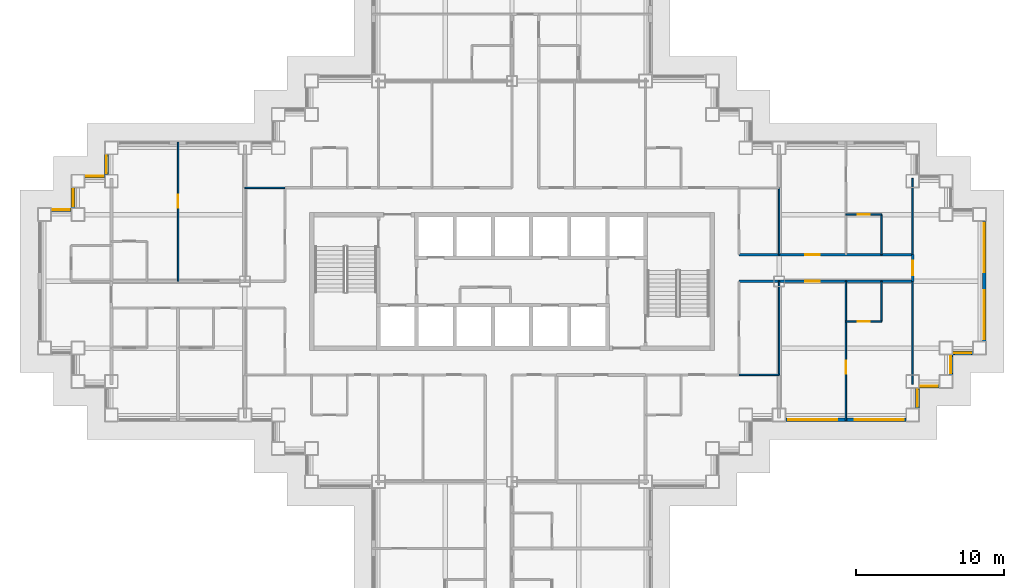
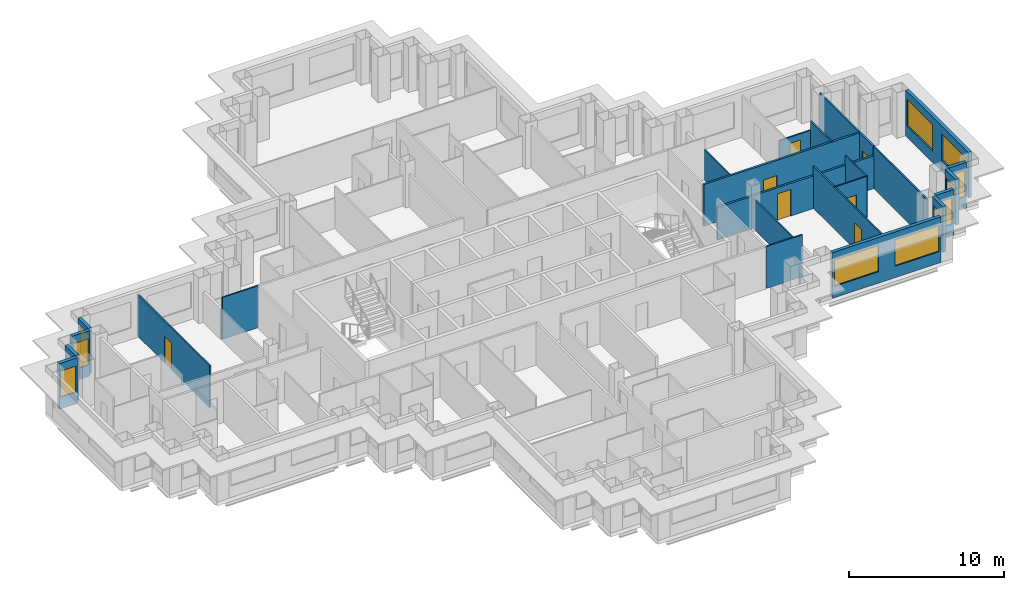
# One storey, part 7 of 15: 25 walls, 12 windows, 7 doors, 19 openings.
"""IFC4 building model written with IfcOpenShell, lengths in metres."""

from ifc_helpers import new_model, si_unit, direction, frame, frame_2d, origin, place, context, subcontext, project, spatial, rectangle, extrude, material, layer, layer_set, type_object, element, fill, save


model = new_model("IFC4")

# Units and contexts
model_context = context("Model", 3, precision=1e-05, world=origin(), true_north=direction((0.0, 1.0)))
body_context = subcontext(model_context, "Body", "Model", "MODEL_VIEW")
ifc_project = project(units=[si_unit("LENGTHUNIT", "METRE"), si_unit("AREAUNIT", "SQUARE_METRE"), si_unit("VOLUMEUNIT", "CUBIC_METRE"), si_unit("PLANEANGLEUNIT", "RADIAN"), si_unit("MASSUNIT", "GRAM", prefix="KILO")], contexts=[model_context])

# Site, building, storey
site_placement = place(None, origin())
site = spatial("IfcSite", under=ifc_project, at=site_placement, CompositionType="ELEMENT")
building_placement = place(site_placement, origin())
building = spatial("IfcBuilding", under=site, at=building_placement, Name="Caravel Reach Hotel and Residences", CompositionType="ELEMENT")
storey_placement = place(building_placement, frame((0.0, 0.0, 104.39990234375)))
storey = spatial("IfcBuildingStorey", under=building, at=storey_placement, Name="L25", CompositionType="ELEMENT", Elevation=104.39990234375)

# Wall, opening, door
ifc_material_1 = material(Name="Gypsum board on steel stud", Category="steel")
ifc_layer_1 = layer(ifc_material_1, 0.10009765625)
ifc_layer_set_1 = layer_set([ifc_layer_1], Name="Bathroom pod wall 100 mm")
wall_type_1 = type_object("IfcWallType", Name="Bathroom pod wall 100 mm", PredefinedType="PARTITIONING", material=ifc_layer_set_1)
wall_1_placement = place(storey_placement, frame((54.0, 24.300048828125, 0.0), z_axis=(0.0, 0.0, 1.0), x_axis=(1.0, 0.0, 0.0)))
wall_1 = element("IfcWall", 1, at=wall_1_placement, inside=storey, type_object=wall_type_1, Name="L25 wall w087", PredefinedType="PARTITIONING", context=body_context, shape_type="SweptSolid", body=[
    extrude(rectangle(XDim=2.39990234375, YDim=0.10009765625, at=frame_2d((1.199951171875, 0.0))), origin(), (0.0, 0.0, 1.0), 3.300048828125),
])
opening_1_placement = place(wall_1_placement, frame((0.800048828125, 0.0, 0.0)))
opening_1 = element("IfcOpeningElement", 2, at=opening_1_placement, cuts=wall_1, Name="Opening D25-024", PredefinedType="OPENING", context=body_context, shape_type="SweptSolid", body=[
    extrude(rectangle(XDim=0.800048828125, YDim=2.10009765625, at=frame_2d((0.39990234375, 1.050048828125))), frame((0.0, 0.06005859375, 0.0), z_axis=(0.0, -1.0, 0.0), x_axis=(1.0, 0.0, 0.0)), (0.0, 0.0, 1.0), 0.1201171875),
])
ifc_material_2 = material(Name="Timber and steel door leaf", Category="steel")
door_type_1 = type_object("IfcDoorType", Name="Bathroom door 800 x 2100", OperationType="SINGLE_SWING_LEFT", PredefinedType="DOOR", material=ifc_material_2)
door_1_placement = place(opening_1_placement, origin())
door_1 = element("IfcDoor", 3, at=door_1_placement, inside=storey, type_object=door_type_1, Name="door D25-024", OperationType="SINGLE_SWING_RIGHT", OverallHeight=2.10009765625, OverallWidth=0.800048828125, PredefinedType="DOOR", context=body_context, shape_type="SweptSolid", body=[
    extrude(rectangle(XDim=0.800048828125, YDim=2.10009765625, at=frame_2d((0.39990234375, 1.050048828125))), frame((0.0, 0.02490234375, 0.0), z_axis=(0.0, -1.0, 0.0), x_axis=(1.0, 0.0, 0.0)), (0.0, 0.0, 1.0), 0.050048828125),
])
fill(opening_1, door_1)

wall_2_placement = place(storey_placement, frame((54.0, 31.5, 0.0), z_axis=(0.0, 0.0, 1.0), x_axis=(1.0, 0.0, 0.0)))
wall_2 = element("IfcWall", 4, at=wall_2_placement, inside=storey, type_object=wall_type_1, Name="L25 wall w091", PredefinedType="PARTITIONING", context=body_context, shape_type="SweptSolid", body=[
    extrude(rectangle(XDim=2.39990234375, YDim=0.10009765625, at=frame_2d((1.199951171875, 0.0))), origin(), (0.0, 0.0, 1.0), 2.580078125),
])
opening_2_placement = place(wall_2_placement, frame((0.800048828125, 0.0, 0.0)))
opening_2 = element("IfcOpeningElement", 5, at=opening_2_placement, cuts=wall_2, Name="Opening D25-027", PredefinedType="OPENING", context=body_context, shape_type="SweptSolid", body=[
    extrude(rectangle(XDim=0.800048828125, YDim=2.10009765625, at=frame_2d((0.39990234375, 1.050048828125))), frame((0.0, 0.06005859375, 0.0), z_axis=(0.0, -1.0, 0.0), x_axis=(1.0, 0.0, 0.0)), (0.0, 0.0, 1.0), 0.1201171875),
])
door_2_placement = place(opening_2_placement, origin())
door_2 = element("IfcDoor", 6, at=door_2_placement, inside=storey, type_object=door_type_1, Name="door D25-027", OperationType="SINGLE_SWING_RIGHT", OverallHeight=2.10009765625, OverallWidth=0.800048828125, PredefinedType="DOOR", context=body_context, shape_type="SweptSolid", body=[
    extrude(rectangle(XDim=0.800048828125, YDim=2.10009765625, at=frame_2d((0.39990234375, 1.050048828125))), frame((0.0, 0.02490234375, 0.0), z_axis=(0.0, -1.0, 0.0), x_axis=(1.0, 0.0, 0.0)), (0.0, 0.0, 1.0), 0.050048828125),
])
fill(opening_2, door_2)

# Walls
for number, where, z_axis, x_axis, name in (
    (7, (56.39990234375, 28.800048828125, 0.0), (0.0, 0.0, 1.0), (0.0, 1.0, 0.0), "L25 wall w113"),
    (8, (56.39990234375, 24.300048828125, 0.0), (0.0, 0.0, 1.0), (0.0, 1.0, 0.0), "L25 wall w114"),
):
    element("IfcWall", number, at=place(storey_placement, frame(where, z_axis=z_axis, x_axis=x_axis)), inside=storey, type_object=wall_type_1, Name=name, PredefinedType="PARTITIONING", context=body_context, shape_type="SweptSolid", body=[
        extrude(rectangle(XDim=2.699951171875, YDim=0.10009765625, at=frame_2d((1.35009765625, 0.0))), origin(), (0.0, 0.0, 1.0), 3.300048828125),
    ])

# Wall, opening, door
ifc_material_3 = material(Name="Gypsum board on steel stud, fire-rated", Category="steel")
ifc_layer_2 = layer(ifc_material_3, 0.14990234375)
ifc_layer_set_2 = layer_set([ifc_layer_2], Name="Corridor wall 150 mm EI 60")
wall_type_2 = type_object("IfcWallType", Name="Corridor wall 150 mm EI 60", PredefinedType="PARTITIONING", material=ifc_layer_set_2)
wall_3_placement = place(storey_placement, frame((46.800048828125, 27.0, 0.0), z_axis=(0.0, 0.0, 1.0), x_axis=(1.0, 0.0, 0.0)))
wall_3 = element("IfcWall", 9, at=wall_3_placement, inside=storey, type_object=wall_type_2, Name="L25 wall w009", PredefinedType="PARTITIONING", context=body_context, shape_type="SweptSolid", body=[
    extrude(rectangle(XDim=11.699951171875, YDim=0.14990234375, at=frame_2d((5.85009765625, 0.0))), origin(), (0.0, 0.0, 1.0), 2.580078125),
])
opening_3_placement = place(wall_3_placement, frame((4.449951171875, 0.0, 0.0)))
opening_3 = element("IfcOpeningElement", 10, at=opening_3_placement, cuts=wall_3, Name="Opening D25-022", PredefinedType="OPENING", context=body_context, shape_type="SweptSolid", body=[
    extrude(rectangle(XDim=1.0, YDim=2.10009765625, at=frame_2d((0.5, 1.050048828125))), frame((0.0, 0.0849609375, 0.0), z_axis=(0.0, -1.0, 0.0), x_axis=(1.0, 0.0, 0.0)), (0.0, 0.0, 1.0), 0.169921875),
])
ifc_material_4 = material(Name="Steel fire door leaf", Category="steel")
door_type_2 = type_object("IfcDoorType", Name="Guest room door 1000 x 2100 EI 30", OperationType="SINGLE_SWING_LEFT", PredefinedType="DOOR", material=ifc_material_4)
door_3_placement = place(opening_3_placement, origin())
door_3 = element("IfcDoor", 11, at=door_3_placement, inside=storey, type_object=door_type_2, Name="door D25-022", OperationType="SINGLE_SWING_RIGHT", OverallHeight=2.10009765625, OverallWidth=1.0, PredefinedType="DOOR", context=body_context, shape_type="SweptSolid", body=[
    extrude(rectangle(XDim=1.0, YDim=2.10009765625, at=frame_2d((0.5, 1.050048828125))), frame((0.0, 0.02490234375, 0.0), z_axis=(0.0, -1.0, 0.0), x_axis=(1.0, 0.0, 0.0)), (0.0, 0.0, 1.0), 0.050048828125),
])
fill(opening_3, door_3)

wall_4_placement = place(storey_placement, frame((46.800048828125, 28.800048828125, 0.0), z_axis=(0.0, 0.0, 1.0), x_axis=(1.0, 0.0, 0.0)))
wall_4 = element("IfcWall", 12, at=wall_4_placement, inside=storey, type_object=wall_type_2, Name="L25 wall w015", PredefinedType="PARTITIONING", context=body_context, shape_type="SweptSolid", body=[
    extrude(rectangle(XDim=11.699951171875, YDim=0.14990234375, at=frame_2d((5.85009765625, 0.0))), origin(), (0.0, 0.0, 1.0), 3.300048828125),
])
opening_4_placement = place(wall_4_placement, frame((4.449951171875, 0.0, 0.0)))
opening_4 = element("IfcOpeningElement", 13, at=opening_4_placement, cuts=wall_4, Name="Opening D25-025", PredefinedType="OPENING", context=body_context, shape_type="SweptSolid", body=[
    extrude(rectangle(XDim=1.0, YDim=2.10009765625, at=frame_2d((0.5, 1.050048828125))), frame((0.0, 0.0849609375, 0.0), z_axis=(0.0, -1.0, 0.0), x_axis=(1.0, 0.0, 0.0)), (0.0, 0.0, 1.0), 0.169921875),
])
door_4_placement = place(opening_4_placement, origin())
door_4 = element("IfcDoor", 14, at=door_4_placement, inside=storey, type_object=door_type_2, Name="door D25-025", OperationType="SINGLE_SWING_RIGHT", OverallHeight=2.10009765625, OverallWidth=1.0, PredefinedType="DOOR", context=body_context, shape_type="SweptSolid", body=[
    extrude(rectangle(XDim=1.0, YDim=2.10009765625, at=frame_2d((0.5, 1.050048828125))), frame((0.0, 0.02490234375, 0.0), z_axis=(0.0, -1.0, 0.0), x_axis=(1.0, 0.0, 0.0)), (0.0, 0.0, 1.0), 0.050048828125),
])
fill(opening_4, door_4)

wall_5_placement = place(storey_placement, frame((58.5, 27.0, 0.0), z_axis=(0.0, 0.0, 1.0), x_axis=(0.0, 1.0, 0.0)))
wall_5 = element("IfcWall", 15, at=wall_5_placement, inside=storey, type_object=wall_type_2, Name="L25 wall w041", PredefinedType="PARTITIONING", context=body_context, shape_type="SweptSolid", body=[
    extrude(rectangle(XDim=1.800048828125, YDim=0.14990234375, at=frame_2d((0.89990234375, 0.0))), origin(), (0.0, 0.0, 1.0), 3.300048828125),
])
opening_5_placement = place(wall_5_placement, frame((0.39990234375, 0.0, 0.0)))
opening_5 = element("IfcOpeningElement", 16, at=opening_5_placement, cuts=wall_5, Name="Opening D25-041", PredefinedType="OPENING", context=body_context, shape_type="SweptSolid", body=[
    extrude(rectangle(XDim=1.0, YDim=2.10009765625, at=frame_2d((0.5, 1.050048828125))), frame((0.0, 0.0849609375, 0.0), z_axis=(0.0, -1.0, 0.0), x_axis=(1.0, 0.0, 0.0)), (0.0, 0.0, 1.0), 0.169921875),
])
door_5_placement = place(opening_5_placement, origin())
door_5 = element("IfcDoor", 17, at=door_5_placement, inside=storey, type_object=door_type_2, Name="door D25-041", OperationType="SINGLE_SWING_RIGHT", OverallHeight=2.10009765625, OverallWidth=1.0, PredefinedType="DOOR", context=body_context, shape_type="SweptSolid", body=[
    extrude(rectangle(XDim=1.0, YDim=2.10009765625, at=frame_2d((0.5, 1.050048828125))), frame((0.0, 0.02490234375, 0.0), z_axis=(0.0, -1.0, 0.0), x_axis=(1.0, 0.0, 0.0)), (0.0, 0.0, 1.0), 0.050048828125),
])
fill(opening_5, door_5)

# Wall, openings, windows
ifc_material_5 = material(Name="Insulated rainscreen wall, aluminium cladding", Category="aluminium")
ifc_layer_3 = layer(ifc_material_5, 0.25)
ifc_layer_set_3 = layer_set([ifc_layer_3], Name="EW1 Tower rainscreen wall")
wall_type_3 = type_object("IfcWallType", Name="EW1 Tower rainscreen wall", PredefinedType="SOLIDWALL", material=ifc_layer_set_3)
wall_6_placement = place(storey_placement, frame((49.949951171875, 17.675048828125, 0.0), z_axis=(0.0, 0.0, 1.0), x_axis=(1.0, 0.0, 0.0)))
wall_6 = element("IfcWall", 18, at=wall_6_placement, inside=storey, type_object=wall_type_3, Name="External wall L25 S15.2", PredefinedType="SOLIDWALL", context=body_context, shape_type="SweptSolid", body=[
    extrude(rectangle(XDim=8.10009765625, YDim=0.25, at=frame_2d((4.050048828125, 0.0))), origin(), (0.0, 0.0, 1.0), 3.60009765625),
])
opening_6_placement = place(wall_6_placement, frame((0.14990234375, 0.0, 0.89990234375)))
opening_6 = element("IfcOpeningElement", 19, at=opening_6_placement, cuts=wall_6, Name="Opening WN4", PredefinedType="OPENING", context=body_context, shape_type="SweptSolid", body=[
    extrude(rectangle(XDim=3.300048828125, YDim=2.080078125, at=frame_2d((1.64990234375, 1.0400390625))), frame((0.0, 0.135009765625, 0.0), z_axis=(0.0, -1.0, 0.0), x_axis=(1.0, 0.0, 0.0)), (0.0, 0.0, 1.0), 0.27001953125),
])
opening_7_placement = place(wall_6_placement, frame((4.64990234375, 0.0, 0.89990234375)))
opening_7 = element("IfcOpeningElement", 20, at=opening_7_placement, cuts=wall_6, Name="Opening WN4", PredefinedType="OPENING", context=body_context, shape_type="SweptSolid", body=[
    extrude(rectangle(XDim=3.300048828125, YDim=2.080078125, at=frame_2d((1.64990234375, 1.0400390625))), frame((0.0, 0.135009765625, 0.0), z_axis=(0.0, -1.0, 0.0), x_axis=(1.0, 0.0, 0.0)), (0.0, 0.0, 1.0), 0.27001953125),
])
ifc_material_6 = material(Name="Dark low-e glazing in black aluminium frame", Category="aluminium")
window_type_1 = type_object("IfcWindowType", Name="Hotel guest room window 3300 x 2080", PartitioningType="SINGLE_PANEL", PredefinedType="WINDOW", material=ifc_material_6)
window_1_placement = place(opening_6_placement, origin())
window_1 = element("IfcWindow", 21, at=window_1_placement, inside=storey, type_object=window_type_1, Name="Window L25 S15.2.1", OverallHeight=2.080078125, OverallWidth=3.300048828125, PartitioningType="SINGLE_PANEL", PredefinedType="WINDOW", context=body_context, shape_type="SweptSolid", body=[
    extrude(rectangle(XDim=3.300048828125, YDim=2.080078125, at=frame_2d((1.64990234375, 1.0400390625))), frame((0.0, 0.030029296875, 0.0), z_axis=(0.0, -1.0, 0.0), x_axis=(1.0, 0.0, 0.0)), (0.0, 0.0, 1.0), 0.06005859375),
])
fill(opening_6, window_1)
window_2_placement = place(opening_7_placement, origin())
window_2 = element("IfcWindow", 22, at=window_2_placement, inside=storey, type_object=window_type_1, Name="Window L25 S15.2.2", OverallHeight=2.080078125, OverallWidth=3.300048828125, PartitioningType="SINGLE_PANEL", PredefinedType="WINDOW", context=body_context, shape_type="SweptSolid", body=[
    extrude(rectangle(XDim=3.300048828125, YDim=2.080078125, at=frame_2d((1.64990234375, 1.0400390625))), frame((0.0, 0.030029296875, 0.0), z_axis=(0.0, -1.0, 0.0), x_axis=(1.0, 0.0, 0.0)), (0.0, 0.0, 1.0), 0.06005859375),
])
fill(opening_7, window_2)

# Wall, opening, window
wall_7_placement = place(storey_placement, frame((58.824951171875, 18.449951171875, 0.0), z_axis=(0.0, 0.0, 1.0), x_axis=(0.0, 1.0, 0.0)))
wall_7 = element("IfcWall", 23, at=wall_7_placement, inside=storey, type_object=wall_type_3, Name="External wall L25 E16.1", PredefinedType="SOLIDWALL", context=body_context, shape_type="SweptSolid", body=[
    extrude(rectangle(XDim=1.35009765625, YDim=0.25, at=frame_2d((0.675048828125, 0.0))), origin(), (0.0, 0.0, 1.0), 3.60009765625),
])
opening_8_placement = place(wall_7_placement, frame((0.10009765625, 0.0, 0.89990234375)))
opening_8 = element("IfcOpeningElement", 24, at=opening_8_placement, cuts=wall_7, Name="Opening WN8", PredefinedType="OPENING", context=body_context, shape_type="SweptSolid", body=[
    extrude(rectangle(XDim=1.14990234375, YDim=2.080078125, at=frame_2d((0.574951171875, 1.0400390625))), frame((0.0, 0.135009765625, 0.0), z_axis=(0.0, -1.0, 0.0), x_axis=(1.0, 0.0, 0.0)), (0.0, 0.0, 1.0), 0.27001953125),
])
ifc_material_7 = material(Name="Dark low-e glazing in black aluminium frame", Category="aluminium")
window_type_2 = type_object("IfcWindowType", Name="Hotel suite corner window 1150 x 2080", PartitioningType="SINGLE_PANEL", PredefinedType="WINDOW", material=ifc_material_7)
window_3_placement = place(opening_8_placement, origin())
window_3 = element("IfcWindow", 25, at=window_3_placement, inside=storey, type_object=window_type_2, Name="Window L25 E16.1.1", OverallHeight=2.080078125, OverallWidth=1.14990234375, PartitioningType="SINGLE_PANEL", PredefinedType="WINDOW", context=body_context, shape_type="SweptSolid", body=[
    extrude(rectangle(XDim=1.14990234375, YDim=2.080078125, at=frame_2d((0.574951171875, 1.0400390625))), frame((0.0, 0.030029296875, 0.0), z_axis=(0.0, -1.0, 0.0), x_axis=(1.0, 0.0, 0.0)), (0.0, 0.0, 1.0), 0.06005859375),
])
fill(opening_8, window_3)

wall_8_placement = place(storey_placement, frame((58.949951171875, 19.925048828125, 0.0), z_axis=(0.0, 0.0, 1.0), x_axis=(1.0, 0.0, 0.0)))
wall_8 = element("IfcWall", 26, at=wall_8_placement, inside=storey, type_object=wall_type_3, Name="External wall L25 S17.1", PredefinedType="SOLIDWALL", context=body_context, shape_type="SweptSolid", body=[
    extrude(rectangle(XDim=1.35009765625, YDim=0.25, at=frame_2d((0.675048828125, 0.0))), origin(), (0.0, 0.0, 1.0), 3.60009765625),
])
opening_9_placement = place(wall_8_placement, frame((0.10009765625, 0.0, 0.89990234375)))
opening_9 = element("IfcOpeningElement", 27, at=opening_9_placement, cuts=wall_8, Name="Opening WN8", PredefinedType="OPENING", context=body_context, shape_type="SweptSolid", body=[
    extrude(rectangle(XDim=1.14990234375, YDim=2.080078125, at=frame_2d((0.574951171875, 1.0400390625))), frame((0.0, 0.135009765625, 0.0), z_axis=(0.0, -1.0, 0.0), x_axis=(1.0, 0.0, 0.0)), (0.0, 0.0, 1.0), 0.27001953125),
])
window_4_placement = place(opening_9_placement, origin())
window_4 = element("IfcWindow", 28, at=window_4_placement, inside=storey, type_object=window_type_2, Name="Window L25 S17.1.1", OverallHeight=2.080078125, OverallWidth=1.14990234375, PartitioningType="SINGLE_PANEL", PredefinedType="WINDOW", context=body_context, shape_type="SweptSolid", body=[
    extrude(rectangle(XDim=1.14990234375, YDim=2.080078125, at=frame_2d((0.574951171875, 1.0400390625))), frame((0.0, 0.030029296875, 0.0), z_axis=(0.0, -1.0, 0.0), x_axis=(1.0, 0.0, 0.0)), (0.0, 0.0, 1.0), 0.06005859375),
])
fill(opening_9, window_4)

wall_9_placement = place(storey_placement, frame((61.074951171875, 20.699951171875, 0.0), z_axis=(0.0, 0.0, 1.0), x_axis=(0.0, 1.0, 0.0)))
wall_9 = element("IfcWall", 29, at=wall_9_placement, inside=storey, type_object=wall_type_3, Name="External wall L25 E18.1", PredefinedType="SOLIDWALL", context=body_context, shape_type="SweptSolid", body=[
    extrude(rectangle(XDim=1.35009765625, YDim=0.25, at=frame_2d((0.675048828125, 0.0))), origin(), (0.0, 0.0, 1.0), 3.60009765625),
])
opening_10_placement = place(wall_9_placement, frame((0.10009765625, 0.0, 0.89990234375)))
opening_10 = element("IfcOpeningElement", 30, at=opening_10_placement, cuts=wall_9, Name="Opening WN8", PredefinedType="OPENING", context=body_context, shape_type="SweptSolid", body=[
    extrude(rectangle(XDim=1.14990234375, YDim=2.080078125, at=frame_2d((0.574951171875, 1.0400390625))), frame((0.0, 0.135009765625, 0.0), z_axis=(0.0, -1.0, 0.0), x_axis=(1.0, 0.0, 0.0)), (0.0, 0.0, 1.0), 0.27001953125),
])
window_5_placement = place(opening_10_placement, origin())
window_5 = element("IfcWindow", 31, at=window_5_placement, inside=storey, type_object=window_type_2, Name="Window L25 E18.1.1", OverallHeight=2.080078125, OverallWidth=1.14990234375, PartitioningType="SINGLE_PANEL", PredefinedType="WINDOW", context=body_context, shape_type="SweptSolid", body=[
    extrude(rectangle(XDim=1.14990234375, YDim=2.080078125, at=frame_2d((0.574951171875, 1.0400390625))), frame((0.0, 0.030029296875, 0.0), z_axis=(0.0, -1.0, 0.0), x_axis=(1.0, 0.0, 0.0)), (0.0, 0.0, 1.0), 0.06005859375),
])
fill(opening_10, window_5)

wall_10_placement = place(storey_placement, frame((61.199951171875, 22.175048828125, 0.0), z_axis=(0.0, 0.0, 1.0), x_axis=(1.0, 0.0, 0.0)))
wall_10 = element("IfcWall", 32, at=wall_10_placement, inside=storey, type_object=wall_type_3, Name="External wall L25 S19.1", PredefinedType="SOLIDWALL", context=body_context, shape_type="SweptSolid", body=[
    extrude(rectangle(XDim=1.35009765625, YDim=0.25, at=frame_2d((0.675048828125, 0.0))), origin(), (0.0, 0.0, 1.0), 3.60009765625),
])
opening_11_placement = place(wall_10_placement, frame((0.10009765625, 0.0, 0.89990234375)))
opening_11 = element("IfcOpeningElement", 33, at=opening_11_placement, cuts=wall_10, Name="Opening WN8", PredefinedType="OPENING", context=body_context, shape_type="SweptSolid", body=[
    extrude(rectangle(XDim=1.14990234375, YDim=2.080078125, at=frame_2d((0.574951171875, 1.0400390625))), frame((0.0, 0.135009765625, 0.0), z_axis=(0.0, -1.0, 0.0), x_axis=(1.0, 0.0, 0.0)), (0.0, 0.0, 1.0), 0.27001953125),
])
window_6_placement = place(opening_11_placement, origin())
window_6 = element("IfcWindow", 34, at=window_6_placement, inside=storey, type_object=window_type_2, Name="Window L25 S19.1.1", OverallHeight=2.080078125, OverallWidth=1.14990234375, PartitioningType="SINGLE_PANEL", PredefinedType="WINDOW", context=body_context, shape_type="SweptSolid", body=[
    extrude(rectangle(XDim=1.14990234375, YDim=2.080078125, at=frame_2d((0.574951171875, 1.0400390625))), frame((0.0, 0.030029296875, 0.0), z_axis=(0.0, -1.0, 0.0), x_axis=(1.0, 0.0, 0.0)), (0.0, 0.0, 1.0), 0.06005859375),
])
fill(opening_11, window_6)

# Wall, openings, windows
wall_11_placement = place(storey_placement, frame((63.324951171875, 22.949951171875, 0.0), z_axis=(0.0, 0.0, 1.0), x_axis=(0.0, 1.0, 0.0)))
wall_11 = element("IfcWall", 35, at=wall_11_placement, inside=storey, type_object=wall_type_3, Name="External wall L25 E20.1", PredefinedType="SOLIDWALL", context=body_context, shape_type="SweptSolid", body=[
    extrude(rectangle(XDim=8.10009765625, YDim=0.25, at=frame_2d((4.050048828125, 0.0))), origin(), (0.0, 0.0, 1.0), 3.60009765625),
])
opening_12_placement = place(wall_11_placement, frame((0.14990234375, 0.0, 0.89990234375)))
opening_12 = element("IfcOpeningElement", 36, at=opening_12_placement, cuts=wall_11, Name="Opening WN4", PredefinedType="OPENING", context=body_context, shape_type="SweptSolid", body=[
    extrude(rectangle(XDim=3.300048828125, YDim=2.080078125, at=frame_2d((1.64990234375, 1.0400390625))), frame((0.0, 0.135009765625, 0.0), z_axis=(0.0, -1.0, 0.0), x_axis=(1.0, 0.0, 0.0)), (0.0, 0.0, 1.0), 0.27001953125),
])
opening_13_placement = place(wall_11_placement, frame((4.64990234375, 0.0, 0.89990234375)))
opening_13 = element("IfcOpeningElement", 37, at=opening_13_placement, cuts=wall_11, Name="Opening WN4", PredefinedType="OPENING", context=body_context, shape_type="SweptSolid", body=[
    extrude(rectangle(XDim=3.300048828125, YDim=2.080078125, at=frame_2d((1.64990234375, 1.0400390625))), frame((0.0, 0.135009765625, 0.0), z_axis=(0.0, -1.0, 0.0), x_axis=(1.0, 0.0, 0.0)), (0.0, 0.0, 1.0), 0.27001953125),
])
window_7_placement = place(opening_12_placement, origin())
window_7 = element("IfcWindow", 38, at=window_7_placement, inside=storey, type_object=window_type_1, Name="Window L25 E20.1.1", OverallHeight=2.080078125, OverallWidth=3.300048828125, PartitioningType="SINGLE_PANEL", PredefinedType="WINDOW", context=body_context, shape_type="SweptSolid", body=[
    extrude(rectangle(XDim=3.300048828125, YDim=2.080078125, at=frame_2d((1.64990234375, 1.0400390625))), frame((0.0, 0.030029296875, 0.0), z_axis=(0.0, -1.0, 0.0), x_axis=(1.0, 0.0, 0.0)), (0.0, 0.0, 1.0), 0.06005859375),
])
fill(opening_12, window_7)
window_8_placement = place(opening_13_placement, origin())
window_8 = element("IfcWindow", 39, at=window_8_placement, inside=storey, type_object=window_type_1, Name="Window L25 E20.1.2", OverallHeight=2.080078125, OverallWidth=3.300048828125, PartitioningType="SINGLE_PANEL", PredefinedType="WINDOW", context=body_context, shape_type="SweptSolid", body=[
    extrude(rectangle(XDim=3.300048828125, YDim=2.080078125, at=frame_2d((1.64990234375, 1.0400390625))), frame((0.0, 0.030029296875, 0.0), z_axis=(0.0, -1.0, 0.0), x_axis=(1.0, 0.0, 0.0)), (0.0, 0.0, 1.0), 0.06005859375),
])
fill(opening_13, window_8)

# Wall, opening, window
wall_12_placement = place(storey_placement, frame((4.175048828125, 35.550048828125, 0.0), z_axis=(0.0, 0.0, 1.0), x_axis=(0.0, -1.0, 0.0)))
wall_12 = element("IfcWall", 40, at=wall_12_placement, inside=storey, type_object=wall_type_3, Name="External wall L25 W46.1", PredefinedType="SOLIDWALL", context=body_context, shape_type="SweptSolid", body=[
    extrude(rectangle(XDim=1.35009765625, YDim=0.25, at=frame_2d((0.675048828125, 0.0))), origin(), (0.0, 0.0, 1.0), 3.60009765625),
])
opening_14_placement = place(wall_12_placement, frame((0.10009765625, 0.0, 0.89990234375)))
opening_14 = element("IfcOpeningElement", 41, at=opening_14_placement, cuts=wall_12, Name="Opening WN8", PredefinedType="OPENING", context=body_context, shape_type="SweptSolid", body=[
    extrude(rectangle(XDim=1.14990234375, YDim=2.080078125, at=frame_2d((0.574951171875, 1.0400390625))), frame((0.0, 0.135009765625, 0.0), z_axis=(0.0, -1.0, 0.0), x_axis=(1.0, 0.0, 0.0)), (0.0, 0.0, 1.0), 0.27001953125),
])
window_9_placement = place(opening_14_placement, origin())
window_9 = element("IfcWindow", 42, at=window_9_placement, inside=storey, type_object=window_type_2, Name="Window L25 W46.1.1", OverallHeight=2.080078125, OverallWidth=1.14990234375, PartitioningType="SINGLE_PANEL", PredefinedType="WINDOW", context=body_context, shape_type="SweptSolid", body=[
    extrude(rectangle(XDim=1.14990234375, YDim=2.080078125, at=frame_2d((0.574951171875, 1.0400390625))), frame((0.0, 0.030029296875, 0.0), z_axis=(0.0, -1.0, 0.0), x_axis=(1.0, 0.0, 0.0)), (0.0, 0.0, 1.0), 0.06005859375),
])
fill(opening_14, window_9)

wall_13_placement = place(storey_placement, frame((4.050048828125, 34.074951171875, 0.0), z_axis=(0.0, 0.0, 1.0), x_axis=(-1.0, 0.0, 0.0)))
wall_13 = element("IfcWall", 43, at=wall_13_placement, inside=storey, type_object=wall_type_3, Name="External wall L25 N47.1", PredefinedType="SOLIDWALL", context=body_context, shape_type="SweptSolid", body=[
    extrude(rectangle(XDim=1.35009765625, YDim=0.25, at=frame_2d((0.675048828125, 0.0))), origin(), (0.0, 0.0, 1.0), 3.60009765625),
])
opening_15_placement = place(wall_13_placement, frame((0.10009765625, 0.0, 0.89990234375)))
opening_15 = element("IfcOpeningElement", 44, at=opening_15_placement, cuts=wall_13, Name="Opening WN8", PredefinedType="OPENING", context=body_context, shape_type="SweptSolid", body=[
    extrude(rectangle(XDim=1.14990234375, YDim=2.080078125, at=frame_2d((0.574951171875, 1.0400390625))), frame((0.0, 0.135009765625, 0.0), z_axis=(0.0, -1.0, 0.0), x_axis=(1.0, 0.0, 0.0)), (0.0, 0.0, 1.0), 0.27001953125),
])
window_10_placement = place(opening_15_placement, origin())
window_10 = element("IfcWindow", 45, at=window_10_placement, inside=storey, type_object=window_type_2, Name="Window L25 N47.1.1", OverallHeight=2.080078125, OverallWidth=1.14990234375, PartitioningType="SINGLE_PANEL", PredefinedType="WINDOW", context=body_context, shape_type="SweptSolid", body=[
    extrude(rectangle(XDim=1.14990234375, YDim=2.080078125, at=frame_2d((0.574951171875, 1.0400390625))), frame((0.0, 0.030029296875, 0.0), z_axis=(0.0, -1.0, 0.0), x_axis=(1.0, 0.0, 0.0)), (0.0, 0.0, 1.0), 0.06005859375),
])
fill(opening_15, window_10)

wall_14_placement = place(storey_placement, frame((1.925048828125, 33.300048828125, 0.0), z_axis=(0.0, 0.0, 1.0), x_axis=(0.0, -1.0, 0.0)))
wall_14 = element("IfcWall", 46, at=wall_14_placement, inside=storey, type_object=wall_type_3, Name="External wall L25 W48.1", PredefinedType="SOLIDWALL", context=body_context, shape_type="SweptSolid", body=[
    extrude(rectangle(XDim=1.35009765625, YDim=0.25, at=frame_2d((0.675048828125, 0.0))), origin(), (0.0, 0.0, 1.0), 3.60009765625),
])
opening_16_placement = place(wall_14_placement, frame((0.10009765625, 0.0, 0.89990234375)))
opening_16 = element("IfcOpeningElement", 47, at=opening_16_placement, cuts=wall_14, Name="Opening WN8", PredefinedType="OPENING", context=body_context, shape_type="SweptSolid", body=[
    extrude(rectangle(XDim=1.14990234375, YDim=2.080078125, at=frame_2d((0.574951171875, 1.0400390625))), frame((0.0, 0.135009765625, 0.0), z_axis=(0.0, -1.0, 0.0), x_axis=(1.0, 0.0, 0.0)), (0.0, 0.0, 1.0), 0.27001953125),
])
window_11_placement = place(opening_16_placement, origin())
window_11 = element("IfcWindow", 48, at=window_11_placement, inside=storey, type_object=window_type_2, Name="Window L25 W48.1.1", OverallHeight=2.080078125, OverallWidth=1.14990234375, PartitioningType="SINGLE_PANEL", PredefinedType="WINDOW", context=body_context, shape_type="SweptSolid", body=[
    extrude(rectangle(XDim=1.14990234375, YDim=2.080078125, at=frame_2d((0.574951171875, 1.0400390625))), frame((0.0, 0.030029296875, 0.0), z_axis=(0.0, -1.0, 0.0), x_axis=(1.0, 0.0, 0.0)), (0.0, 0.0, 1.0), 0.06005859375),
])
fill(opening_16, window_11)

wall_15_placement = place(storey_placement, frame((1.800048828125, 31.824951171875, 0.0), z_axis=(0.0, 0.0, 1.0), x_axis=(-1.0, 0.0, 0.0)))
wall_15 = element("IfcWall", 49, at=wall_15_placement, inside=storey, type_object=wall_type_3, Name="External wall L25 N49.1", PredefinedType="SOLIDWALL", context=body_context, shape_type="SweptSolid", body=[
    extrude(rectangle(XDim=1.35009765625, YDim=0.25, at=frame_2d((0.675048828125, 0.0))), origin(), (0.0, 0.0, 1.0), 3.60009765625),
])
opening_17_placement = place(wall_15_placement, frame((0.10009765625, 0.0, 0.89990234375)))
opening_17 = element("IfcOpeningElement", 50, at=opening_17_placement, cuts=wall_15, Name="Opening WN8", PredefinedType="OPENING", context=body_context, shape_type="SweptSolid", body=[
    extrude(rectangle(XDim=1.14990234375, YDim=2.080078125, at=frame_2d((0.574951171875, 1.0400390625))), frame((0.0, 0.135009765625, 0.0), z_axis=(0.0, -1.0, 0.0), x_axis=(1.0, 0.0, 0.0)), (0.0, 0.0, 1.0), 0.27001953125),
])
window_12_placement = place(opening_17_placement, origin())
window_12 = element("IfcWindow", 51, at=window_12_placement, inside=storey, type_object=window_type_2, Name="Window L25 N49.1.1", OverallHeight=2.080078125, OverallWidth=1.14990234375, PartitioningType="SINGLE_PANEL", PredefinedType="WINDOW", context=body_context, shape_type="SweptSolid", body=[
    extrude(rectangle(XDim=1.14990234375, YDim=2.080078125, at=frame_2d((0.574951171875, 1.0400390625))), frame((0.0, 0.030029296875, 0.0), z_axis=(0.0, -1.0, 0.0), x_axis=(1.0, 0.0, 0.0)), (0.0, 0.0, 1.0), 0.06005859375),
])
fill(opening_17, window_12)

# Walls
ifc_material_8 = material(Name="Gypsum board on steel stud", Category="steel")
ifc_layer_4 = layer(ifc_material_8, 0.10009765625)
ifc_layer_set_4 = layer_set([ifc_layer_4], Name="Partition 100 mm")
wall_type_4 = type_object("IfcWallType", Name="Partition 100 mm", PredefinedType="PARTITIONING", material=ifc_layer_set_4)
for number, where, z_axis, x_axis, name in (
    (52, (46.800048828125, 20.699951171875, 0.0), (0.0, 0.0, 1.0), (1.0, 0.0, 0.0), "L25 wall w046"),
    (53, (13.5, 33.300048828125, 0.0), (0.0, 0.0, 1.0), (1.0, 0.0, 0.0), "L25 wall w047"),
):
    element("IfcWall", number, at=place(storey_placement, frame(where, z_axis=z_axis, x_axis=x_axis)), inside=storey, type_object=wall_type_4, Name=name, PredefinedType="PARTITIONING", context=body_context, shape_type="SweptSolid", body=[
        extrude(rectangle(XDim=2.699951171875, YDim=0.10009765625, at=frame_2d((1.35009765625, 0.0))), origin(), (0.0, 0.0, 1.0), 3.300048828125),
    ])
wall_16_placement = place(storey_placement, frame((49.5, 28.800048828125, 0.0), z_axis=(0.0, 0.0, 1.0), x_axis=(0.0, 1.0, 0.0)))
element("IfcWall", 54, at=wall_16_placement, inside=storey, type_object=wall_type_4, Name="L25 wall w064", PredefinedType="PARTITIONING", context=body_context, shape_type="SweptSolid", body=[
    extrude(rectangle(XDim=4.5, YDim=0.10009765625, at=frame_2d((2.25, 0.0))), origin(), (0.0, 0.0, 1.0), 2.380126953125),
])
wall_17_placement = place(storey_placement, frame((49.5, 20.699951171875, 0.0), z_axis=(0.0, 0.0, 1.0), x_axis=(0.0, 1.0, 0.0)))
element("IfcWall", 55, at=wall_17_placement, inside=storey, type_object=wall_type_4, Name="L25 wall w065", PredefinedType="PARTITIONING", context=body_context, shape_type="SweptSolid", body=[
    extrude(rectangle(XDim=6.300048828125, YDim=0.10009765625, at=frame_2d((3.14990234375, 0.0))), origin(), (0.0, 0.0, 1.0), 2.380126953125),
])

# Wall, opening, door
wall_18_placement = place(storey_placement, frame((54.0, 17.610107421875, 0.0), z_axis=(0.0, 0.0, 1.0), x_axis=(0.0, 1.0, 0.0)))
wall_18 = element("IfcWall", 56, at=wall_18_placement, inside=storey, type_object=wall_type_4, Name="L25 wall w067", PredefinedType="PARTITIONING", context=body_context, shape_type="SweptSolid", body=[
    extrude(rectangle(XDim=9.389892578125, YDim=0.10009765625, at=frame_2d((4.69482421875, 0.0))), origin(), (0.0, 0.0, 1.0), 3.300048828125),
])
opening_18_placement = place(wall_18_placement, frame((3.14990234375, 0.0, 0.0)))
opening_18 = element("IfcOpeningElement", 57, at=opening_18_placement, cuts=wall_18, Name="Opening D25-023", PredefinedType="OPENING", context=body_context, shape_type="SweptSolid", body=[
    extrude(rectangle(XDim=0.89990234375, YDim=2.10009765625, at=frame_2d((0.449951171875, 1.050048828125))), frame((0.0, 0.06005859375, 0.0), z_axis=(0.0, -1.0, 0.0), x_axis=(1.0, 0.0, 0.0)), (0.0, 0.0, 1.0), 0.1201171875),
])
ifc_material_9 = material(Name="Timber and steel door leaf", Category="steel")
door_type_3 = type_object("IfcDoorType", Name="Door 900 x 2100 timber", OperationType="SINGLE_SWING_LEFT", PredefinedType="DOOR", material=ifc_material_9)
door_6_placement = place(opening_18_placement, origin())
door_6 = element("IfcDoor", 58, at=door_6_placement, inside=storey, type_object=door_type_3, Name="door D25-023", OperationType="SINGLE_SWING_LEFT", OverallHeight=2.10009765625, OverallWidth=0.89990234375, PredefinedType="DOOR", context=body_context, shape_type="SweptSolid", body=[
    extrude(rectangle(XDim=0.89990234375, YDim=2.10009765625, at=frame_2d((0.449951171875, 1.050048828125))), frame((0.0, 0.02490234375, 0.0), z_axis=(0.0, -1.0, 0.0), x_axis=(1.0, 0.0, 0.0)), (0.0, 0.0, 1.0), 0.050048828125),
])
fill(opening_18, door_6)

# Walls
wall_19_placement = place(storey_placement, frame((58.5, 28.800048828125, 0.0), z_axis=(0.0, 0.0, 1.0), x_axis=(0.0, 1.0, 0.0)))
element("IfcWall", 59, at=wall_19_placement, inside=storey, type_object=wall_type_4, Name="L25 wall w068", PredefinedType="PARTITIONING", context=body_context, shape_type="SweptSolid", body=[
    extrude(rectangle(XDim=5.139892578125, YDim=0.10009765625, at=frame_2d((2.56982421875, 0.0))), origin(), (0.0, 0.0, 1.0), 3.300048828125),
])
wall_20_placement = place(storey_placement, frame((58.5, 20.06005859375, 0.0), z_axis=(0.0, 0.0, 1.0), x_axis=(0.0, 1.0, 0.0)))
element("IfcWall", 60, at=wall_20_placement, inside=storey, type_object=wall_type_4, Name="L25 wall w069", PredefinedType="PARTITIONING", context=body_context, shape_type="SweptSolid", body=[
    extrude(rectangle(XDim=6.93994140625, YDim=0.10009765625, at=frame_2d((3.469970703125, 0.0))), origin(), (0.0, 0.0, 1.0), 3.300048828125),
])

# Wall, opening, door
wall_21_placement = place(storey_placement, frame((9.0, 27.0, 0.0), z_axis=(0.0, 0.0, 1.0), x_axis=(0.0, 1.0, 0.0)))
wall_21 = element("IfcWall", 61, at=wall_21_placement, inside=storey, type_object=wall_type_4, Name="L25 wall w070", PredefinedType="PARTITIONING", context=body_context, shape_type="SweptSolid", body=[
    extrude(rectangle(XDim=9.389892578125, YDim=0.10009765625, at=frame_2d((4.69482421875, 0.0))), origin(), (0.0, 0.0, 1.0), 3.300048828125),
])
opening_19_placement = place(wall_21_placement, frame((4.949951171875, 0.0, 0.0)))
opening_19 = element("IfcOpeningElement", 62, at=opening_19_placement, cuts=wall_21, Name="Opening D25-020", PredefinedType="OPENING", context=body_context, shape_type="SweptSolid", body=[
    extrude(rectangle(XDim=0.89990234375, YDim=2.10009765625, at=frame_2d((0.449951171875, 1.050048828125))), frame((0.0, 0.06005859375, 0.0), z_axis=(0.0, -1.0, 0.0), x_axis=(1.0, 0.0, 0.0)), (0.0, 0.0, 1.0), 0.1201171875),
])
door_7_placement = place(opening_19_placement, origin())
door_7 = element("IfcDoor", 63, at=door_7_placement, inside=storey, type_object=door_type_3, Name="door D25-020", OperationType="SINGLE_SWING_RIGHT", OverallHeight=2.10009765625, OverallWidth=0.89990234375, PredefinedType="DOOR", context=body_context, shape_type="SweptSolid", body=[
    extrude(rectangle(XDim=0.89990234375, YDim=2.10009765625, at=frame_2d((0.449951171875, 1.050048828125))), frame((0.0, 0.02490234375, 0.0), z_axis=(0.0, -1.0, 0.0), x_axis=(1.0, 0.0, 0.0)), (0.0, 0.0, 1.0), 0.050048828125),
])
fill(opening_19, door_7)

save(model, "model.ifc")
